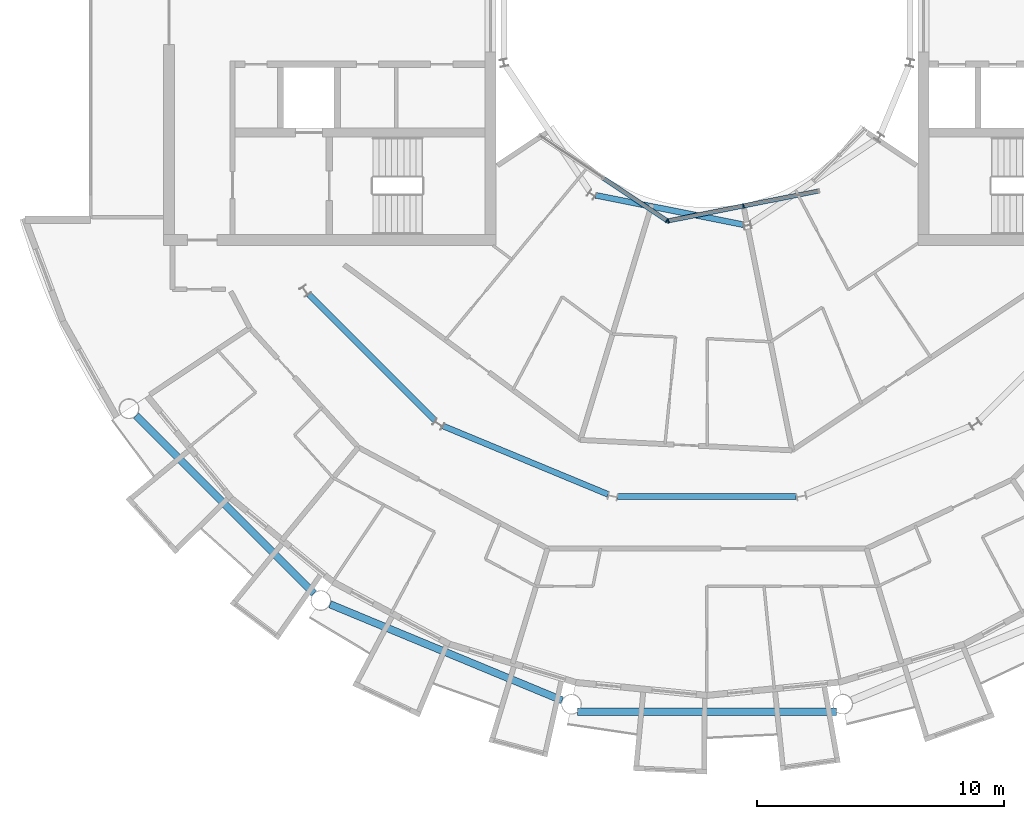
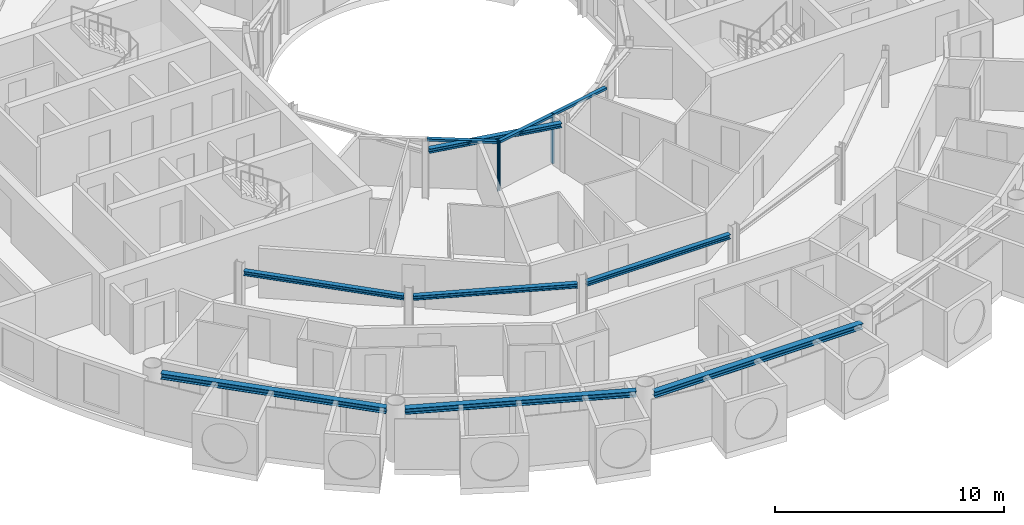
# One storey, part 6 of 28: 7 beams, 6 members, 2 elements without a shape of their own.
"""IFC4 building model written with IfcOpenShell, lengths in metres."""

from ifc_helpers import new_model, si_unit, direction, frame, origin, origin_2d, place, context, subcontext, project, spatial, rectangle, i_section, extrude, material, layer, layer_set, material_profile, profile_set, type_object, element, aggregate, save


model = new_model("IFC4")

# Units and contexts
model_context = context("Model", 3, precision=1e-05, world=origin(), true_north=direction((0.0, 1.0)))
body_context = subcontext(model_context, "Body", "Model", "MODEL_VIEW")
ifc_project = project(units=[si_unit("LENGTHUNIT", "METRE"), si_unit("AREAUNIT", "SQUARE_METRE"), si_unit("VOLUMEUNIT", "CUBIC_METRE"), si_unit("PLANEANGLEUNIT", "RADIAN"), si_unit("MASSUNIT", "GRAM", prefix="KILO")], contexts=[model_context])

# Site, building, storey
site_placement = place(None, origin())
site = spatial("IfcSite", under=ifc_project, at=site_placement, CompositionType="ELEMENT")
building_placement = place(site_placement, origin())
building = spatial("IfcBuilding", under=site, at=building_placement, Name="Maasbend Ring Residences", CompositionType="ELEMENT")
storey_placement = place(building_placement, frame((0.0, 0.0, 218.800048828125)))
storey = spatial("IfcBuildingStorey", under=building, at=storey_placement, Name="L63", CompositionType="ELEMENT", Elevation=218.800048828125)

# Curtain wall, member
ifc_material_1 = material(Name="Aluminium and clear glass", Category="aluminium")
ifc_layer = layer(ifc_material_1, 0.179931640625)
ifc_layer_set = layer_set([ifc_layer], Name="CW-W")
curtain_wall_type = type_object("IfcCurtainWallType", Name="CW-W", PredefinedType="NOTDEFINED", material=ifc_layer_set)
curtain_wall_1_placement = place(storey_placement, origin())
curtain_wall_1 = element("IfcCurtainWall", 1, at=curtain_wall_1_placement, inside=storey, type_object=curtain_wall_type, Name="Well curtain wall S1", PredefinedType="NOTDEFINED")
ifc_material_2 = material(Name="Aluminium 6063-T6", Category="aluminium")
ifc_material_profile_1 = material_profile(ifc_material_2, rectangle(XDim=0.179931640625, YDim=0.06005859375, at=origin_2d()), Name="AL 180x60")
ifc_profile_set_1 = profile_set([ifc_material_profile_1], Name="Aluminium 6063-T6")
member_type_1 = type_object("IfcMemberType", Name="CWM-W", PredefinedType="MULLION", material=ifc_profile_set_1)
member_1_placement = place(storey_placement, frame((-1.627685546875, -8.040771484375, 0.0), z_axis=(0.0, 0.0, 1.0), x_axis=(0.55557023302, 0.831469612303, 0.0)))
member_1 = element("IfcMember", 2, at=member_1_placement, type_object=member_type_1, Name="Mullion well face", PredefinedType="MULLION", context=body_context, shape_type="SweptSolid", body=[
    extrude(rectangle(XDim=0.179931640625, YDim=0.06005859375, at=origin_2d()), origin(), (0.0, 0.0, 1.0), 2.64990234375),
])

# Curtain wall, members
curtain_wall_2_placement = place(storey_placement, origin())
curtain_wall_2 = element("IfcCurtainWall", 3, at=curtain_wall_2_placement, inside=storey, type_object=curtain_wall_type, Name="Well curtain wall S2", PredefinedType="NOTDEFINED")
member_2_placement = place(storey_placement, frame((-1.5732421875, -8.0517578125, 0.0), z_axis=(0.0, 0.0, 1.0), x_axis=(-0.195090322016, 0.980785280403, 0.0)))
member_2 = element("IfcMember", 4, at=member_2_placement, type_object=member_type_1, Name="Mullion well face", PredefinedType="MULLION", context=body_context, shape_type="SweptSolid", body=[
    extrude(rectangle(XDim=0.179931640625, YDim=0.06005859375, at=origin_2d()), origin(), (0.0, 0.0, 1.0), 2.64990234375),
])
member_3_placement = place(storey_placement, frame((1.480712890625, -7.444091796875, 0.0), z_axis=(0.0, 0.0, 1.0), x_axis=(-0.195090322016, 0.980785280403, 0.0)))
member_3 = element("IfcMember", 5, at=member_3_placement, type_object=member_type_1, Name="Mullion well face", PredefinedType="MULLION", context=body_context, shape_type="SweptSolid", body=[
    extrude(rectangle(XDim=0.179931640625, YDim=0.06005859375, at=origin_2d()), origin(), (0.0, 0.0, 1.0), 2.64990234375),
])

# Member
ifc_material_3 = material(Name="Aluminium 6063-T6", Category="aluminium")
ifc_material_profile_2 = material_profile(ifc_material_3, rectangle(XDim=0.179931640625, YDim=0.1201171875, at=origin_2d()), Name="AL 180x120")
ifc_profile_set_2 = profile_set([ifc_material_profile_2], Name="Aluminium 6063-T6")
member_type_2 = type_object("IfcMemberType", Name="CWT-W", PredefinedType="USERDEFINED", material=ifc_profile_set_2)
member_4_placement = place(storey_placement, frame((-4.19189453125, -6.32763671875, 2.58984375), z_axis=(0.831496422459, -0.555530106689, 0.0), x_axis=(0.555530106689, 0.831496422459, 0.0)))
member_4 = element("IfcMember", 6, at=member_4_placement, type_object=member_type_2, Name="Transom well face", ObjectType="TRANSOM", PredefinedType="USERDEFINED", context=body_context, shape_type="SweptSolid", body=[
    extrude(rectangle(XDim=0.179931640625, YDim=0.1201171875, at=origin_2d()), origin(), (0.0, 0.0, 1.0), 3.053955078125),
])

aggregate(curtain_wall_1, [member_1, member_4])

member_5_placement = place(storey_placement, frame((-1.5439453125, -8.0458984375, 2.58984375), z_axis=(0.980776956105, 0.195132166424, 0.0), x_axis=(-0.195132166424, 0.980776956105, 0.0)))
member_5 = element("IfcMember", 7, at=member_5_placement, type_object=member_type_2, Name="Transom well face", ObjectType="TRANSOM", PredefinedType="USERDEFINED", context=body_context, shape_type="SweptSolid", body=[
    extrude(rectangle(XDim=0.179931640625, YDim=0.1201171875, at=origin_2d()), origin(), (0.0, 0.0, 1.0), 3.053955078125),
])

member_6_placement = place(storey_placement, frame((1.51025390625, -7.438232421875, 2.58984375), z_axis=(0.980789210404, 0.19507056353, 0.0), x_axis=(-0.19507056353, 0.980789210404, 0.0)))
member_6 = element("IfcMember", 8, at=member_6_placement, type_object=member_type_2, Name="Transom well face", ObjectType="TRANSOM", PredefinedType="USERDEFINED", context=body_context, shape_type="SweptSolid", body=[
    extrude(rectangle(XDim=0.179931640625, YDim=0.1201171875, at=origin_2d()), origin(), (0.0, 0.0, 1.0), 3.0537109375),
])

aggregate(curtain_wall_2, [member_2, member_3, member_5, member_6])

# Beams
ifc_material_4 = material(Name="Steel S355J2", Category="steel")
ifc_material_profile_3 = material_profile(ifc_material_4, i_section(OverallWidth=0.239990234375, OverallDepth=0.22998046875, WebThickness=0.007568359375, FlangeThickness=0.011962890625, FilletRadius=0.02099609375, at=origin_2d()), Name="HEA 240")
ifc_profile_set_3 = profile_set([ifc_material_profile_3], Name="Steel S355J2")
beam_type_1 = type_object("IfcBeamType", Name="Corridor ring beam HEA 240", PredefinedType="BEAM", material=ifc_profile_set_3)
beam_1_placement = place(storey_placement, frame((-16.152587890625, -11.033447265625, 2.534912109375), z_axis=(0.707106781187, -0.707106781187, 0.0), x_axis=(0.707106781187, 0.707106781187, 0.0)))
element("IfcBeam", 9, at=beam_1_placement, inside=storey, type_object=beam_type_1, Name="Corridor ring beam", PredefinedType="BEAM", context=body_context, shape_type="SweptSolid", body=[
    extrude(i_section(OverallWidth=0.239990234375, OverallDepth=0.22998046875, WebThickness=0.007568359375, FlangeThickness=0.011962890625, FilletRadius=0.02099609375, at=origin_2d()), origin(), (0.0, 0.0, 1.0), 7.239501953125),
])
for number, where, z_axis, x_axis, name in (
    (10, (-10.70068359375, -16.374755859375, 2.534912109375), (0.923865162022, -0.382718123952, 0.0), (0.382718123952, 0.923865162022, 0.0), "Corridor ring beam"),
    (11, (-3.619873046875, -19.223388671875, 2.534912109375), (1.0, 0.0, 0.0), (0.0, 1.0, 0.0), "Corridor ring beam"),
):
    element("IfcBeam", number, at=place(storey_placement, frame(where, z_axis=z_axis, x_axis=x_axis)), inside=storey, type_object=beam_type_1, Name=name, PredefinedType="BEAM", context=body_context, shape_type="SweptSolid", body=[
        extrude(i_section(OverallWidth=0.239990234375, OverallDepth=0.22998046875, WebThickness=0.007568359375, FlangeThickness=0.011962890625, FilletRadius=0.02099609375, at=origin_2d()), origin(), (0.0, 0.0, 1.0), 7.23974609375),
    ])
ifc_material_5 = material(Name="Steel S355J2", Category="steel")
ifc_material_profile_4 = material_profile(ifc_material_5, i_section(OverallWidth=0.300048828125, OverallDepth=0.300048828125, WebThickness=0.010986328125, FlangeThickness=0.01904296875, FilletRadius=0.027099609375, at=origin_2d()), Name="HEB 300")
ifc_profile_set_4 = profile_set([ifc_material_profile_4], Name="Steel S355J2")
beam_type_2 = type_object("IfcBeamType", Name="Spandrel ring beam HEB 300", PredefinedType="SPANDREL", material=ifc_profile_set_4)
for number, where, z_axis, x_axis, name in (
    (12, (-23.159912109375, -15.95458984375, 2.5), (0.707106781187, -0.707106781187, 0.0), (0.707106781187, 0.707106781187, 0.0), "Spandrel ring beam"),
    (13, (-15.29150390625, -23.60302734375, 2.5), (0.923883676188, -0.382673428492, 0.0), (0.382673428492, 0.923883676188, 0.0), "Spandrel ring beam"),
):
    element("IfcBeam", number, at=place(storey_placement, frame(where, z_axis=z_axis, x_axis=x_axis)), inside=storey, type_object=beam_type_2, Name=name, PredefinedType="SPANDREL", context=body_context, shape_type="SweptSolid", body=[
        extrude(i_section(OverallWidth=0.300048828125, OverallDepth=0.300048828125, WebThickness=0.010986328125, FlangeThickness=0.01904296875, FilletRadius=0.027099609375, at=origin_2d()), origin(), (0.0, 0.0, 1.0), 10.18994140625),
    ])
beam_2_placement = place(storey_placement, frame((-5.2451171875, -27.9580078125, 2.5), z_axis=(1.0, 0.0, 0.0), x_axis=(0.0, 1.0, 0.0)))
element("IfcBeam", 14, at=beam_2_placement, inside=storey, type_object=beam_type_2, Name="Spandrel ring beam", PredefinedType="SPANDREL", context=body_context, shape_type="SweptSolid", body=[
    extrude(i_section(OverallWidth=0.300048828125, OverallDepth=0.300048828125, WebThickness=0.010986328125, FlangeThickness=0.01904296875, FilletRadius=0.027099609375, at=origin_2d()), origin(), (0.0, 0.0, 1.0), 10.490234375),
])
ifc_material_6 = material(Name="Steel S355J2", Category="steel")
ifc_material_profile_5 = material_profile(ifc_material_6, i_section(OverallWidth=0.239990234375, OverallDepth=0.22998046875, WebThickness=0.007568359375, FlangeThickness=0.011962890625, FilletRadius=0.02099609375, at=origin_2d()), Name="HEA 240")
ifc_profile_set_5 = profile_set([ifc_material_profile_5], Name="Steel S355J2")
beam_type_3 = type_object("IfcBeamType", Name="Well edge beam HEA 240", PredefinedType="BEAM", material=ifc_profile_set_5)
beam_3_placement = place(storey_placement, frame((-4.512939453125, -7.014892578125, 2.534912109375), z_axis=(0.980782836869, -0.195102606089, 0.0), x_axis=(0.195102606089, 0.980782836869, 0.0)))
element("IfcBeam", 15, at=beam_3_placement, inside=storey, type_object=beam_type_3, Name="Well edge beam", PredefinedType="BEAM", context=body_context, shape_type="SweptSolid", body=[
    extrude(i_section(OverallWidth=0.239990234375, OverallDepth=0.22998046875, WebThickness=0.007568359375, FlangeThickness=0.011962890625, FilletRadius=0.02099609375, at=origin_2d()), origin(), (0.0, 0.0, 1.0), 6.115234375),
])

save(model, "model.ifc")
